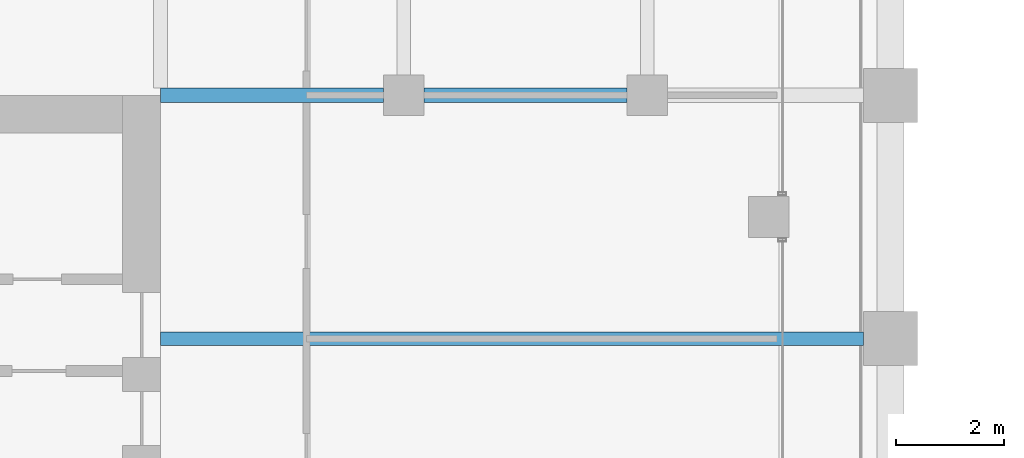
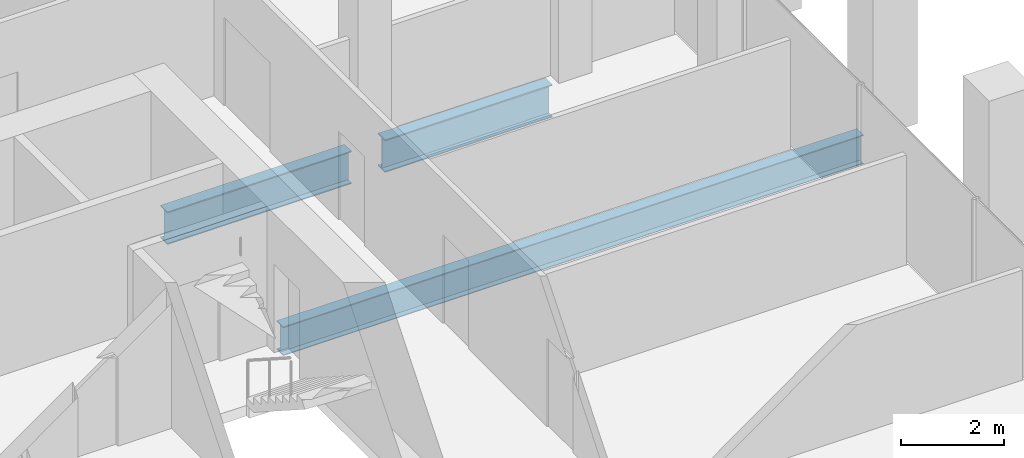
# One storey, part 18 of 46: 3 beams.
"""IFC4 building model written with IfcOpenShell, lengths in metres."""

from ifc_helpers import new_model, si_unit, direction, frame, origin, origin_2d, place, context, subcontext, project, spatial, i_section, extrude, material, material_profile, profile_set, type_object, element, save


model = new_model("IFC4")

# Units and contexts
model_context = context("Model", 3, precision=1e-05, world=origin(), true_north=direction((0.0, 1.0)))
body_context = subcontext(model_context, "Body", "Model", "MODEL_VIEW")
ifc_project = project(units=[si_unit("LENGTHUNIT", "METRE"), si_unit("AREAUNIT", "SQUARE_METRE"), si_unit("VOLUMEUNIT", "CUBIC_METRE"), si_unit("PLANEANGLEUNIT", "RADIAN"), si_unit("MASSUNIT", "GRAM", prefix="KILO")], contexts=[model_context])

# Site, building, storey
site_placement = place(None, origin())
site = spatial("IfcSite", under=ifc_project, at=site_placement, CompositionType="ELEMENT")
building_placement = place(site_placement, origin())
building = spatial("IfcBuilding", under=site, at=building_placement, Name="Altepetl Exchange Towers", CompositionType="ELEMENT")
storey_placement = place(building_placement, frame((0.0, 0.0, 135.199951171875)))
storey = spatial("IfcBuildingStorey", under=building, at=storey_placement, Name="L33", CompositionType="ELEMENT", Elevation=135.199951171875)

# Beams
ifc_material = material(Name="Steel S355", Category="steel")
ifc_material_profile_1 = material_profile(ifc_material, i_section(OverallWidth=0.25390625, OverallDepth=0.68408203125, WebThickness=0.012451171875, FlangeThickness=0.018798828125, at=origin_2d()), Name="W27X94")
ifc_profile_set_1 = profile_set([ifc_material_profile_1], Name="Steel S355")
beam_type_1 = type_object("IfcBeamType", Name="Floor beam W27X94", PredefinedType="BEAM", material=ifc_profile_set_1)
beam_1_placement = place(storey_placement, frame((58.5, 54.0, -0.491943359375), z_axis=(1.0, 0.0, 0.0), x_axis=(0.0, 1.0, 0.0)))
element("IfcBeam", 1, at=beam_1_placement, inside=storey, type_object=beam_type_1, Name="bm:A:L33:011", PredefinedType="BEAM", context=body_context, shape_type="SweptSolid", body=[
    extrude(i_section(OverallWidth=0.25390625, OverallDepth=0.68408203125, WebThickness=0.012451171875, FlangeThickness=0.018798828125, at=origin_2d()), origin(), (0.0, 0.0, 1.0), 13.0),
])
ifc_material_profile_2 = material_profile(ifc_material, i_section(OverallWidth=0.26806640625, OverallDepth=0.77392578125, WebThickness=0.015380859375, FlangeThickness=0.025390625, at=origin_2d()), Name="W30X132")
ifc_profile_set_2 = profile_set([ifc_material_profile_2], Name="Steel S355")
beam_type_2 = type_object("IfcBeamType", Name="Girder W30X132", PredefinedType="BEAM", material=ifc_profile_set_2)
beam_2_placement = place(storey_placement, frame((58.5, 58.5, -0.536865234375), z_axis=(1.0, 0.0, 0.0), x_axis=(0.0, 1.0, 0.0)))
element("IfcBeam", 2, at=beam_2_placement, inside=storey, type_object=beam_type_2, Name="gd:A:L33:000", PredefinedType="BEAM", context=body_context, shape_type="SweptSolid", body=[
    extrude(i_section(OverallWidth=0.26806640625, OverallDepth=0.77392578125, WebThickness=0.015380859375, FlangeThickness=0.025390625, at=origin_2d()), origin(), (0.0, 0.0, 1.0), 4.125),
])
beam_3_placement = place(storey_placement, frame((63.375, 58.5, -0.536865234375), z_axis=(1.0, 0.0, 0.0), x_axis=(0.0, 1.0, 0.0)))
element("IfcBeam", 3, at=beam_3_placement, inside=storey, type_object=beam_type_2, Name="gd:A:L33:001", PredefinedType="BEAM", context=body_context, shape_type="SweptSolid", body=[
    extrude(i_section(OverallWidth=0.26806640625, OverallDepth=0.77392578125, WebThickness=0.015380859375, FlangeThickness=0.025390625, at=origin_2d()), origin(), (0.0, 0.0, 1.0), 3.75),
])

save(model, "model.ifc")
